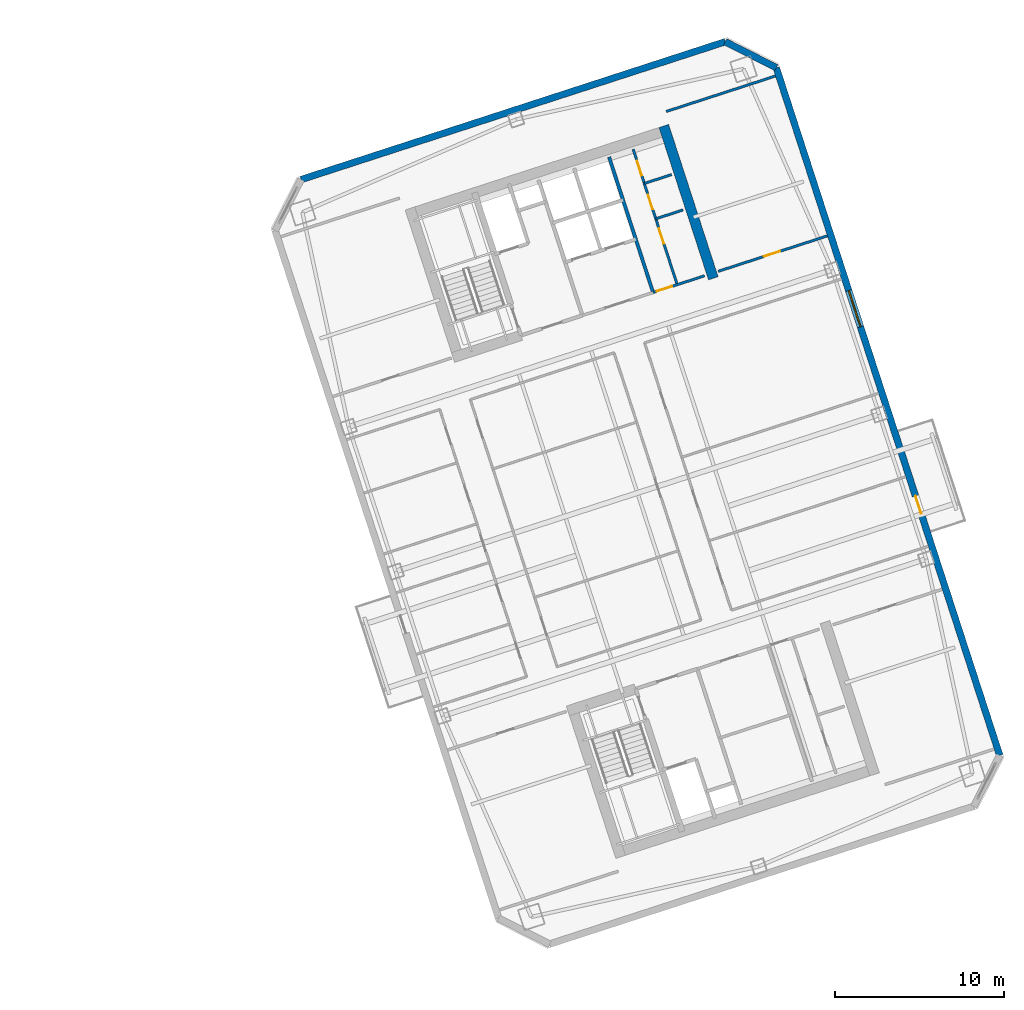
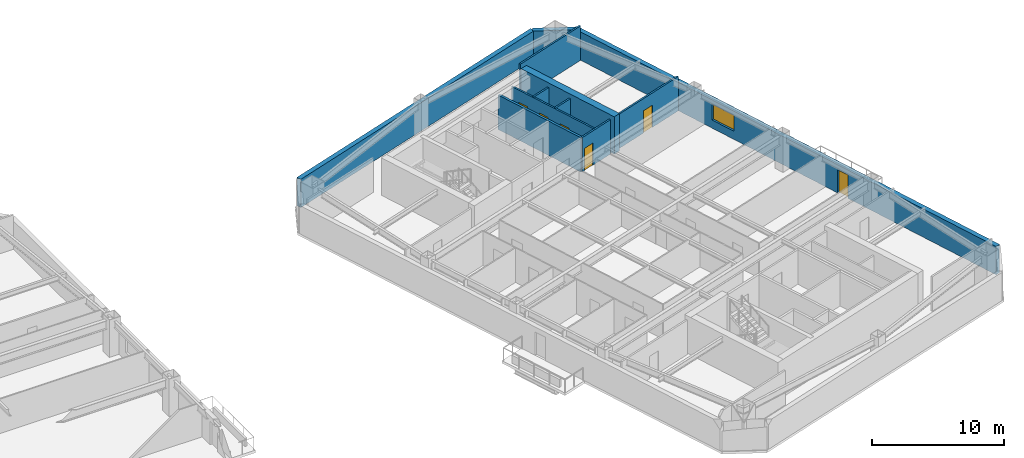
# One storey, part 17 of 22: 11 walls, 6 doors, 1 window, 7 openings.
"""IFC4 building model written with IfcOpenShell, lengths in metres."""

from ifc_helpers import new_model, si_unit, direction, frame, frame_2d, origin, place, context, subcontext, project, spatial, rectangle, extrude, material, layer, layer_set, type_object, element, fill, save


model = new_model("IFC4")

# Units and contexts
model_context = context("Model", 3, precision=1e-05, world=origin(), true_north=direction((0.0, 1.0)))
body_context = subcontext(model_context, "Body", "Model", "MODEL_VIEW")
ifc_project = project(units=[si_unit("LENGTHUNIT", "METRE"), si_unit("AREAUNIT", "SQUARE_METRE"), si_unit("VOLUMEUNIT", "CUBIC_METRE"), si_unit("PLANEANGLEUNIT", "RADIAN"), si_unit("MASSUNIT", "GRAM", prefix="KILO")], contexts=[model_context])

# Site, building, storey
site_placement = place(None, origin())
site = spatial("IfcSite", under=ifc_project, at=site_placement, CompositionType="ELEMENT")
building_placement = place(site_placement, origin())
building = spatial("IfcBuilding", under=site, at=building_placement, Name="Qiaolan Cultural Towers", CompositionType="ELEMENT")
storey_placement = place(building_placement, frame((0.0, 0.0, 146.050048828125)))
storey = spatial("IfcBuildingStorey", under=building, at=storey_placement, Name="L38", CompositionType="ELEMENT", Elevation=146.050048828125)

# Walls
ifc_material_1 = material(Name="Concrete C55", Category="concrete")
ifc_layer_1 = layer(ifc_material_1, 0.60009765625)
ifc_layer_set_1 = layer_set([ifc_layer_1], Name="Concrete C55")
wall_type_1 = type_object("IfcWallType", Name="WL-CORE-600", PredefinedType="SHEAR", material=ifc_layer_set_1)
wall_1_placement = place(storey_placement, frame((94.4921875, 46.710205078125, 0.0), z_axis=(0.0, 0.0, 1.0), x_axis=(-0.309010370028, 0.95105866865, 0.0)))
element("IfcWall", 1, at=wall_1_placement, inside=storey, type_object=wall_type_1, Name="L38 T2-CN East Core Shear Wall", PredefinedType="SHEAR", context=body_context, shape_type="SweptSolid", body=[
    extrude(rectangle(XDim=9.47998046875, YDim=0.60009765625, at=frame_2d((4.739990234375, 0.0))), origin(), (0.0, 0.0, 1.0), 3.449951171875),
])
ifc_material_2 = material(Name="Precast Concrete C50 Honed Stone Pier", Category="masonry")
ifc_layer_2 = layer(ifc_material_2, 0.39990234375)
ifc_layer_set_2 = layer_set([ifc_layer_2], Name="Precast Concrete C50 Honed Stone Pier")
wall_type_2 = type_object("IfcWallType", Name="WL-EXT-PIER-400", PredefinedType="SOLIDWALL", material=ifc_layer_set_2)
wall_2_placement = place(storey_placement, frame((70.091552734375, 52.55615234375, 0.0), z_axis=(0.0, 0.0, 1.0), x_axis=(0.951057580055, 0.30901372044, 0.0)))
element("IfcWall", 2, at=wall_2_placement, inside=storey, type_object=wall_type_2, Name="L38 East Tower Precast Pier Facade Wall F3", PredefinedType="SOLIDWALL", context=body_context, shape_type="SweptSolid", body=[
    extrude(rectangle(XDim=26.39990234375, YDim=0.39990234375, at=frame_2d((13.199951171875, 0.0))), origin(), (0.0, 0.0, 1.0), 2.60986328125),
])
wall_3_placement = place(storey_placement, frame((95.199462890625, 60.714111328125, 0.0), z_axis=(0.0, 0.0, 1.0), x_axis=(0.891020832027, -0.453962417932, 0.0)))
element("IfcWall", 3, at=wall_3_placement, inside=storey, type_object=wall_type_2, Name="L38 East Tower Precast Pier Facade Wall F4", PredefinedType="SOLIDWALL", context=body_context, shape_type="SweptSolid", body=[
    extrude(rectangle(XDim=3.39404296875, YDim=0.39990234375, at=frame_2d((1.697021484375, 0.0))), origin(), (0.0, 0.0, 1.0), 2.60986328125),
])

# Wall, openings, door, window
wall_4_placement = place(storey_placement, frame((98.2236328125, 59.17333984375, 0.0), z_axis=(0.0, 0.0, 1.0), x_axis=(0.309014228706, -0.951057414911, 0.0)))
wall_4 = element("IfcWall", 4, at=wall_4_placement, inside=storey, type_object=wall_type_2, Name="L38 East Tower Precast Pier Facade Wall F5", PredefinedType="SOLIDWALL", context=body_context, shape_type="SweptSolid", body=[
    extrude(rectangle(XDim=42.800048828125, YDim=0.39990234375, at=frame_2d((21.39990234375, 0.0))), origin(), (0.0, 0.0, 1.0), 2.60986328125),
])
opening_1_placement = place(wall_4_placement, frame((13.875, 0.0, 0.75)))
opening_1 = element("IfcOpeningElement", 5, at=opening_1_placement, cuts=wall_4, Name="Opening W-03", PredefinedType="OPENING", context=body_context, shape_type="SweptSolid", body=[
    extrude(rectangle(XDim=2.25, YDim=1.4599609375, at=frame_2d((1.125, 0.72998046875))), frame((0.0, 0.2099609375, 0.0), z_axis=(0.0, -1.0, 0.0), x_axis=(1.0, 0.0, 0.0)), (0.0, 0.0, 1.0), 0.419921875),
])
opening_2_placement = place(wall_4_placement, frame((26.64990234375, 0.0, 0.0)))
opening_2 = element("IfcOpeningElement", 6, at=opening_2_placement, cuts=wall_4, Name="Opening BD-01", PredefinedType="OPENING", context=body_context, shape_type="SweptSolid", body=[
    extrude(rectangle(XDim=1.10009765625, YDim=2.14990234375, at=frame_2d((0.550048828125, 1.074951171875))), frame((0.0, 0.2099609375, 0.0), z_axis=(0.0, -1.0, 0.0), x_axis=(1.0, 0.0, 0.0)), (0.0, 0.0, 1.0), 0.419921875),
])
ifc_material_3 = material(Name="Thermally Broken Aluminium Glazed Terrace Door", Category="aluminium")
door_type_1 = type_object("IfcDoorType", Name="DR-BAL-1100", OperationType="NOTDEFINED", PredefinedType="DOOR", material=ifc_material_3)
door_1_placement = place(opening_2_placement, origin())
door_1 = element("IfcDoor", 7, at=door_1_placement, inside=storey, type_object=door_type_1, Name="L38 T2 East Tree Balcony Door", OperationType="SINGLE_SWING_RIGHT", OverallHeight=2.14990234375, OverallWidth=1.10009765625, PredefinedType="DOOR", context=body_context, shape_type="SweptSolid", body=[
    extrude(rectangle(XDim=1.10009765625, YDim=2.14990234375, at=frame_2d((0.550048828125, 1.074951171875))), frame((0.0, 0.02490234375, 0.0), z_axis=(0.0, -1.0, 0.0), x_axis=(1.0, 0.0, 0.0)), (0.0, 0.0, 1.0), 0.050048828125),
])
fill(opening_2, door_1)
ifc_material_4 = material(Name="Thermally Broken Aluminium Triple Low-E Glazing", Category="aluminium")
window_type = type_object("IfcWindowType", Name="WN-CHIC-2250", PartitioningType="SINGLE_PANEL", PredefinedType="WINDOW", material=ifc_material_4)
window_placement = place(opening_1_placement, origin())
window = element("IfcWindow", 8, at=window_placement, inside=storey, type_object=window_type, Name="L38 T2 E Chicago Bay Window 1", OverallHeight=1.4599609375, OverallWidth=2.25, PartitioningType="TRIPLE_PANEL_VERTICAL", PredefinedType="WINDOW", context=body_context, shape_type="SweptSolid", body=[
    extrude(rectangle(XDim=2.25, YDim=1.4599609375, at=frame_2d((1.125, 0.72998046875))), frame((0.0, 0.030029296875, 0.0), z_axis=(0.0, -1.0, 0.0), x_axis=(1.0, 0.0, 0.0)), (0.0, 0.0, 1.0), 0.06005859375),
])
fill(opening_1, window)

# Wall
ifc_material_5 = material(Name="Concrete C35 Fire Wall", Category="concrete")
ifc_layer_3 = layer(ifc_material_5, 0.199951171875)
ifc_layer_set_3 = layer_set([ifc_layer_3], Name="Concrete C35 Fire Wall")
wall_type_3 = type_object("IfcWallType", Name="WL-FIRE-200", PredefinedType="PARTITIONING", material=ifc_layer_set_3)
wall_5_placement = place(storey_placement, frame((90.92822265625, 45.86767578125, 0.0), z_axis=(0.0, 0.0, 1.0), x_axis=(-0.309042196757, 0.951048327176, 0.0)))
element("IfcWall", 9, at=wall_5_placement, inside=storey, type_object=wall_type_3, Name="L38 T2-CN Lift Core East Wall", PredefinedType="PARTITIONING", context=body_context, shape_type="SweptSolid", body=[
    extrude(rectangle(XDim=8.429931640625, YDim=0.199951171875, at=frame_2d((4.21484375, 0.0))), origin(), (0.0, 0.0, 1.0), 3.175048828125),
])

# Wall, opening, door
ifc_material_6 = material(Name="Autoclaved Aerated Concrete Block B06", Category="concrete")
ifc_layer_4 = layer(ifc_material_6, 0.14990234375)
ifc_layer_set_4 = layer_set([ifc_layer_4], Name="Autoclaved Aerated Concrete Block B06")
wall_type_4 = type_object("IfcWallType", Name="WL-PART-150", PredefinedType="PARTITIONING", material=ifc_layer_set_4)
wall_6_placement = place(storey_placement, frame((90.92822265625, 45.86767578125, 0.0), z_axis=(0.0, 0.0, 1.0), x_axis=(0.951059297078, 0.309008435874, 0.0)))
wall_6 = element("IfcWall", 10, at=wall_6_placement, inside=storey, type_object=wall_type_4, Name="L38 T2-CN Sanitary Core Front Wall", PredefinedType="PARTITIONING", context=body_context, shape_type="SweptSolid", body=[
    extrude(rectangle(XDim=3.19970703125, YDim=0.14990234375, at=frame_2d((1.599853515625, 0.0))), origin(), (0.0, 0.0, 1.0), 3.175048828125),
])
opening_3_placement = place(wall_6_placement, frame((0.219970703125, 0.0, 0.0)))
opening_3 = element("IfcOpeningElement", 11, at=opening_3_placement, cuts=wall_6, Name="Opening ID-05", PredefinedType="OPENING", context=body_context, shape_type="SweptSolid", body=[
    extrude(rectangle(XDim=0.949951171875, YDim=2.050048828125, at=frame_2d((0.47509765625, 1.02490234375))), frame((0.0, 0.0849609375, 0.0), z_axis=(0.0, -1.0, 0.0), x_axis=(1.0, 0.0, 0.0)), (0.0, 0.0, 1.0), 0.169921875),
])
ifc_material_7 = material(Name="Fire-Rated Laminate Accessible Core Door", Category="timber")
door_type_2 = type_object("IfcDoorType", Name="DR-INT-950", OperationType="NOTDEFINED", PredefinedType="DOOR", material=ifc_material_7)
door_2_placement = place(opening_3_placement, origin())
door_2 = element("IfcDoor", 12, at=door_2_placement, inside=storey, type_object=door_type_2, Name="L38 Sanitary Vestibule Door", OperationType="SINGLE_SWING_LEFT", OverallHeight=2.050048828125, OverallWidth=0.949951171875, PredefinedType="DOOR", context=body_context, shape_type="SweptSolid", body=[
    extrude(rectangle(XDim=0.949951171875, YDim=2.050048828125, at=frame_2d((0.47509765625, 1.02490234375))), frame((0.0, 0.02490234375, 0.0), z_axis=(0.0, -1.0, 0.0), x_axis=(1.0, 0.0, 0.0)), (0.0, 0.0, 1.0), 0.050048828125),
])
fill(opening_3, door_2)

# Wall, openings, doors
wall_7_placement = place(storey_placement, frame((92.354736328125, 46.3310546875, 0.0), z_axis=(0.0, 0.0, 1.0), x_axis=(-0.309007490203, 0.951059604335, 0.0)))
wall_7 = element("IfcWall", 13, at=wall_7_placement, inside=storey, type_object=wall_type_4, Name="L38 T2-CN Sanitary Vestibule Wall", PredefinedType="PARTITIONING", context=body_context, shape_type="SweptSolid", body=[
    extrude(rectangle(XDim=8.43017578125, YDim=0.14990234375, at=frame_2d((4.215087890625, 0.0))), origin(), (0.0, 0.0, 1.0), 3.175048828125),
])
opening_4_placement = place(wall_7_placement, frame((2.550048828125, 0.0, 0.0)))
opening_4 = element("IfcOpeningElement", 14, at=opening_4_placement, cuts=wall_7, Name="Opening ID-05", PredefinedType="OPENING", context=body_context, shape_type="SweptSolid", body=[
    extrude(rectangle(XDim=0.949951171875, YDim=2.050048828125, at=frame_2d((0.47509765625, 1.02490234375))), frame((0.0, 0.0849609375, 0.0), z_axis=(0.0, -1.0, 0.0), x_axis=(1.0, 0.0, 0.0)), (0.0, 0.0, 1.0), 0.169921875),
])
opening_5_placement = place(wall_7_placement, frame((4.699951171875, 0.0, 0.0)))
opening_5 = element("IfcOpeningElement", 15, at=opening_5_placement, cuts=wall_7, Name="Opening ID-06", PredefinedType="OPENING", context=body_context, shape_type="SweptSolid", body=[
    extrude(rectangle(XDim=0.89990234375, YDim=2.050048828125, at=frame_2d((0.449951171875, 1.02490234375))), frame((0.0, 0.0849609375, 0.0), z_axis=(0.0, -1.0, 0.0), x_axis=(1.0, 0.0, 0.0)), (0.0, 0.0, 1.0), 0.169921875),
])
opening_6_placement = place(wall_7_placement, frame((6.800048828125, 0.0, 0.0)))
opening_6 = element("IfcOpeningElement", 16, at=opening_6_placement, cuts=wall_7, Name="Opening ID-06", PredefinedType="OPENING", context=body_context, shape_type="SweptSolid", body=[
    extrude(rectangle(XDim=0.89990234375, YDim=2.050048828125, at=frame_2d((0.449951171875, 1.02490234375))), frame((0.0, 0.0849609375, 0.0), z_axis=(0.0, -1.0, 0.0), x_axis=(1.0, 0.0, 0.0)), (0.0, 0.0, 1.0), 0.169921875),
])
ifc_material_8 = material(Name="Fire-Rated Laminate Core Service Door", Category="timber")
door_type_3 = type_object("IfcDoorType", Name="DR-INT-900", OperationType="NOTDEFINED", PredefinedType="DOOR", material=ifc_material_8)
door_3_placement = place(opening_5_placement, origin())
door_3 = element("IfcDoor", 17, at=door_3_placement, inside=storey, type_object=door_type_3, Name="L38 Men Washroom Door", OperationType="SINGLE_SWING_LEFT", OverallHeight=2.050048828125, OverallWidth=0.89990234375, PredefinedType="DOOR", context=body_context, shape_type="SweptSolid", body=[
    extrude(rectangle(XDim=0.89990234375, YDim=2.050048828125, at=frame_2d((0.449951171875, 1.02490234375))), frame((0.0, 0.02490234375, 0.0), z_axis=(0.0, -1.0, 0.0), x_axis=(1.0, 0.0, 0.0)), (0.0, 0.0, 1.0), 0.050048828125),
])
fill(opening_5, door_3)
door_4_placement = place(opening_6_placement, origin())
door_4 = element("IfcDoor", 18, at=door_4_placement, inside=storey, type_object=door_type_3, Name="L38 Women Washroom Door", OperationType="SINGLE_SWING_RIGHT", OverallHeight=2.050048828125, OverallWidth=0.89990234375, PredefinedType="DOOR", context=body_context, shape_type="SweptSolid", body=[
    extrude(rectangle(XDim=0.89990234375, YDim=2.050048828125, at=frame_2d((0.449951171875, 1.02490234375))), frame((0.0, 0.02490234375, 0.0), z_axis=(0.0, -1.0, 0.0), x_axis=(1.0, 0.0, 0.0)), (0.0, 0.0, 1.0), 0.050048828125),
])
fill(opening_6, door_4)
door_5_placement = place(opening_4_placement, origin())
door_5 = element("IfcDoor", 19, at=door_5_placement, inside=storey, type_object=door_type_2, Name="L38 Accessible Family Washroom Door", OperationType="SINGLE_SWING_LEFT", OverallHeight=2.050048828125, OverallWidth=0.949951171875, PredefinedType="DOOR", context=body_context, shape_type="SweptSolid", body=[
    extrude(rectangle(XDim=0.949951171875, YDim=2.050048828125, at=frame_2d((0.47509765625, 1.02490234375))), frame((0.0, 0.02490234375, 0.0), z_axis=(0.0, -1.0, 0.0), x_axis=(1.0, 0.0, 0.0)), (0.0, 0.0, 1.0), 0.050048828125),
])
fill(opening_4, door_5)

# Walls
wall_8_placement = place(storey_placement, frame((91.087646484375, 50.23046875, 0.0), z_axis=(0.0, 0.0, 1.0), x_axis=(0.951054116971, 0.309024378638, 0.0)))
element("IfcWall", 20, at=wall_8_placement, inside=storey, type_object=wall_type_4, Name="L38 T2-CN Restroom Split Wall 1", PredefinedType="PARTITIONING", context=body_context, shape_type="SweptSolid", body=[
    extrude(rectangle(XDim=1.7001953125, YDim=0.14990234375, at=frame_2d((0.85009765625, 0.0))), origin(), (0.0, 0.0, 1.0), 3.175048828125),
])
wall_9_placement = place(storey_placement, frame((90.407958984375, 52.32275390625, 0.0), z_axis=(0.0, 0.0, 1.0), x_axis=(0.951040401051, 0.309066587596, 0.0)))
element("IfcWall", 21, at=wall_9_placement, inside=storey, type_object=wall_type_4, Name="L38 T2-CN Restroom Split Wall 2", PredefinedType="PARTITIONING", context=body_context, shape_type="SweptSolid", body=[
    extrude(rectangle(XDim=1.699951171875, YDim=0.14990234375, at=frame_2d((0.85009765625, 0.0))), origin(), (0.0, 0.0, 1.0), 3.175048828125),
])
wall_10_placement = place(storey_placement, frame((91.705078125, 56.582275390625, 0.0), z_axis=(0.0, 0.0, 1.0), x_axis=(0.951057811516, 0.309013008068, 0.0)))
element("IfcWall", 22, at=wall_10_placement, inside=storey, type_object=wall_type_4, Name="L38 T2 Flank Wall FLK-NE", PredefinedType="PARTITIONING", context=body_context, shape_type="SweptSolid", body=[
    extrude(rectangle(XDim=6.800048828125, YDim=0.14990234375, at=frame_2d((3.39990234375, 0.0))), origin(), (0.0, 0.0, 1.0), 3.175048828125),
])

# Wall, opening, door
wall_11_placement = place(storey_placement, frame((94.77978515625, 47.119140625, 0.0), z_axis=(0.0, 0.0, 1.0), x_axis=(0.951057811516, 0.309013008068, 0.0)))
wall_11 = element("IfcWall", 23, at=wall_11_placement, inside=storey, type_object=wall_type_4, Name="L38 T2 Flank Front FLK-NE", PredefinedType="PARTITIONING", context=body_context, shape_type="SweptSolid", body=[
    extrude(rectangle(XDim=6.800048828125, YDim=0.14990234375, at=frame_2d((3.39990234375, 0.0))), origin(), (0.0, 0.0, 1.0), 3.175048828125),
])
opening_7_placement = place(wall_11_placement, frame((2.85595703125, 0.0, 0.0)))
opening_7 = element("IfcOpeningElement", 24, at=opening_7_placement, cuts=wall_11, Name="Opening ID-04", PredefinedType="OPENING", context=body_context, shape_type="SweptSolid", body=[
    extrude(rectangle(XDim=1.0, YDim=2.050048828125, at=frame_2d((0.5, 1.02490234375))), frame((0.0, 0.0849609375, 0.0), z_axis=(0.0, -1.0, 0.0), x_axis=(1.0, 0.0, 0.0)), (0.0, 0.0, 1.0), 0.169921875),
])
ifc_material_9 = material(Name="Oak Veneer Acoustic Office Door", Category="timber")
door_type_4 = type_object("IfcDoorType", Name="DR-INT-1000", OperationType="NOTDEFINED", PredefinedType="DOOR", material=ifc_material_9)
door_6_placement = place(opening_7_placement, origin())
door_6 = element("IfcDoor", 25, at=door_6_placement, inside=storey, type_object=door_type_4, Name="L38 T2 Corner Studio Door", OperationType="SINGLE_SWING_LEFT", OverallHeight=2.050048828125, OverallWidth=1.0, PredefinedType="DOOR", context=body_context, shape_type="SweptSolid", body=[
    extrude(rectangle(XDim=1.0, YDim=2.050048828125, at=frame_2d((0.5, 1.02490234375))), frame((0.0, 0.02490234375, 0.0), z_axis=(0.0, -1.0, 0.0), x_axis=(1.0, 0.0, 0.0)), (0.0, 0.0, 1.0), 0.050048828125),
])
fill(opening_7, door_6)

save(model, "model.ifc")
